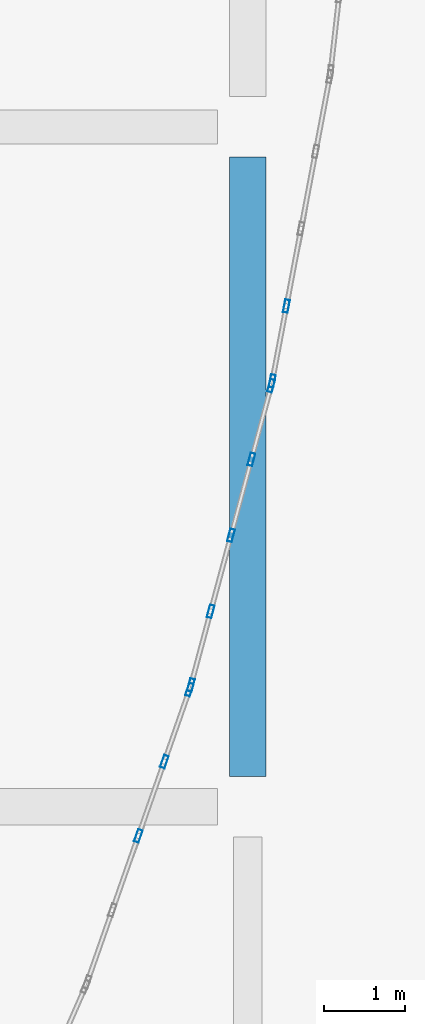
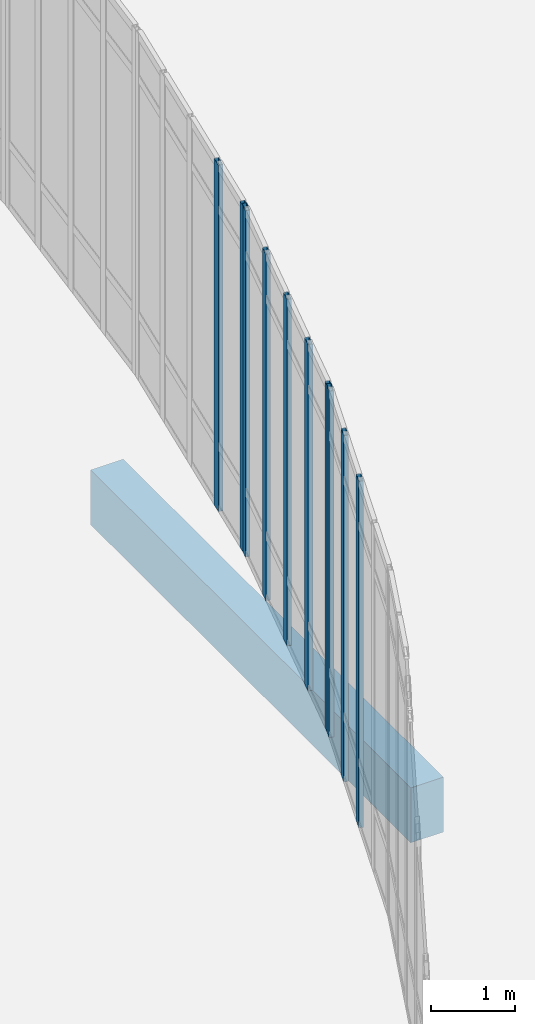
# One storey, part 47 of 110: 10 members, 1 beam, 3 elements without a shape of their own.
"""IFC4 building model written with IfcOpenShell, lengths in metres."""

from ifc_helpers import new_model, si_unit, direction, frame, origin, origin_2d, place, context, subcontext, project, spatial, rectangle, hollow_rectangle, extrude, material, material_profile, profile_set, type_object, element, aggregate, save


model = new_model("IFC4")

# Units and contexts
model_context = context("Model", 3, precision=1e-05, world=origin(), true_north=direction((0.0, 1.0)))
body_context = subcontext(model_context, "Body", "Model", "MODEL_VIEW")
ifc_project = project(units=[si_unit("LENGTHUNIT", "METRE"), si_unit("AREAUNIT", "SQUARE_METRE"), si_unit("VOLUMEUNIT", "CUBIC_METRE"), si_unit("PLANEANGLEUNIT", "RADIAN"), si_unit("MASSUNIT", "GRAM", prefix="KILO")], contexts=[model_context])

# Site, building, storey
site_placement = place(None, origin())
site = spatial("IfcSite", under=ifc_project, at=site_placement, CompositionType="ELEMENT")
building_placement = place(site_placement, origin())
building = spatial("IfcBuilding", under=site, at=building_placement, Name="Kalluvel Institute of Natural Sciences", CompositionType="ELEMENT")
storey_placement = place(building_placement, origin())
storey = spatial("IfcBuildingStorey", under=building, at=storey_placement, Name="L00", CompositionType="ELEMENT", Elevation=0.0)

# Beam
ifc_material_1 = material(Name="Concrete M40", Category="concrete")
ifc_material_profile_1 = material_profile(ifc_material_1, rectangle(XDim=0.449951171875, YDim=0.800048828125, at=origin_2d()), Name="RCB 450x800")
ifc_profile_set_1 = profile_set([ifc_material_profile_1], Name="Concrete M40")
beam_type = type_object("IfcBeamType", Name="BM-RC450x800", PredefinedType="BEAM", material=ifc_profile_set_1)
beam_placement = place(storey_placement, frame((86.0, 86.375, -0.719970703125), z_axis=(0.0, 1.0, 0.0), x_axis=(-1.0, 0.0, 0.0)))
element("IfcBeam", 1, at=beam_placement, inside=storey, type_object=beam_type, Name="L00 girder GIR-L00-NS-X860-Y860", PredefinedType="BEAM", context=body_context, shape_type="SweptSolid", body=[
    extrude(rectangle(XDim=0.449951171875, YDim=0.800048828125, at=origin_2d()), origin(), (0.0, 0.0, 1.0), 7.64990234375),
])

# Curtain wall, members
ifc_material_2 = material(Name="Aluminium AW-6063 T6", Category="aluminium")
curtain_wall_type = type_object("IfcCurtainWallType", Name="CW-ATR-L00", PredefinedType="USERDEFINED", material=ifc_material_2)
curtain_wall_1_placement = place(storey_placement, origin())
curtain_wall_1 = element("IfcCurtainWall", 2, at=curtain_wall_1_placement, inside=storey, type_object=curtain_wall_type, Name="L00 Gothic lancet curtain wall CWA-L00-X840-Y838", ObjectType="UNITISED LANCET FACADE", PredefinedType="USERDEFINED")
ifc_material_profile_2 = material_profile(ifc_material_2, hollow_rectangle(XDim=0.06005859375, YDim=0.159912109375, WallThickness=0.00390625, at=origin_2d()), Name="CWM 60x160")
ifc_profile_set_2 = profile_set([ifc_material_profile_2], Name="Aluminium AW-6063 T6")
member_type = type_object("IfcMemberType", Name="CWM-60x160", PredefinedType="MULLION", material=ifc_profile_set_2)
member_1_placement = place(storey_placement, frame((84.647705078125, 85.637451171875, 0.0), z_axis=(0.0, 0.0, 1.0), x_axis=(-0.943877598761, 0.330295441321, 0.0)))
member_1 = element("IfcMember", 3, at=member_1_placement, type_object=member_type, Name="CW-06 mullion 3", PredefinedType="MULLION", context=body_context, shape_type="SweptSolid", body=[
    extrude(hollow_rectangle(XDim=0.06005859375, YDim=0.159912109375, WallThickness=0.00390625, at=origin_2d()), origin(), (0.0, 0.0, 1.0), 5.050048828125),
])
member_2_placement = place(storey_placement, frame((84.96875, 86.55517578125, 0.0), z_axis=(0.0, 0.0, 1.0), x_axis=(-0.943877598761, 0.330295441321, 0.0)))
member_2 = element("IfcMember", 4, at=member_2_placement, type_object=member_type, Name="CW-06 mullion 4", PredefinedType="MULLION", context=body_context, shape_type="SweptSolid", body=[
    extrude(hollow_rectangle(XDim=0.06005859375, YDim=0.159912109375, WallThickness=0.00390625, at=origin_2d()), origin(), (0.0, 0.0, 1.0), 5.050048828125),
])
member_3_placement = place(storey_placement, frame((85.27978515625, 87.4443359375, 0.0), z_axis=(0.0, 0.0, 1.0), x_axis=(-0.943877598761, 0.330295441321, 0.0)))
member_3 = element("IfcMember", 5, at=member_3_placement, type_object=member_type, Name="CW-06 mullion 5", PredefinedType="MULLION", context=body_context, shape_type="SweptSolid", body=[
    extrude(hollow_rectangle(XDim=0.06005859375, YDim=0.159912109375, WallThickness=0.00390625, at=origin_2d()), origin(), (0.0, 0.0, 1.0), 5.050048828125),
])
aggregate(curtain_wall_1, [member_1, member_2, member_3])

curtain_wall_2_placement = place(storey_placement, origin())
curtain_wall_2 = element("IfcCurtainWall", 6, at=curtain_wall_2_placement, inside=storey, type_object=curtain_wall_type, Name="L00 Gothic lancet curtain wall CWA-L00-X853-Y875", ObjectType="UNITISED LANCET FACADE", PredefinedType="USERDEFINED")
member_4_placement = place(storey_placement, frame((85.297607421875, 87.501708984375, 0.0), z_axis=(0.0, 0.0, 1.0), x_axis=(-0.965923946245, 0.25882606142, 0.0)))
member_4 = element("IfcMember", 7, at=member_4_placement, type_object=member_type, Name="CW-06 mullion 1", PredefinedType="MULLION", context=body_context, shape_type="SweptSolid", body=[
    extrude(hollow_rectangle(XDim=0.06005859375, YDim=0.159912109375, WallThickness=0.00390625, at=origin_2d()), origin(), (0.0, 0.0, 1.0), 5.050048828125),
])
member_5_placement = place(storey_placement, frame((85.54150390625, 88.411865234375, 0.0), z_axis=(0.0, 0.0, 1.0), x_axis=(-0.965923946245, 0.25882606142, 0.0)))
member_5 = element("IfcMember", 8, at=member_5_placement, type_object=member_type, Name="CW-06 mullion 2", PredefinedType="MULLION", context=body_context, shape_type="SweptSolid", body=[
    extrude(hollow_rectangle(XDim=0.06005859375, YDim=0.159912109375, WallThickness=0.00390625, at=origin_2d()), origin(), (0.0, 0.0, 1.0), 5.050048828125),
])
member_6_placement = place(storey_placement, frame((85.79296875, 89.350830078125, 0.0), z_axis=(0.0, 0.0, 1.0), x_axis=(-0.965923946245, 0.25882606142, 0.0)))
member_6 = element("IfcMember", 9, at=member_6_placement, type_object=member_type, Name="CW-06 mullion 3", PredefinedType="MULLION", context=body_context, shape_type="SweptSolid", body=[
    extrude(hollow_rectangle(XDim=0.06005859375, YDim=0.159912109375, WallThickness=0.00390625, at=origin_2d()), origin(), (0.0, 0.0, 1.0), 5.050048828125),
])
member_7_placement = place(storey_placement, frame((86.044677734375, 90.289794921875, 0.0), z_axis=(0.0, 0.0, 1.0), x_axis=(-0.965923946245, 0.25882606142, 0.0)))
member_7 = element("IfcMember", 10, at=member_7_placement, type_object=member_type, Name="CW-06 mullion 4", PredefinedType="MULLION", context=body_context, shape_type="SweptSolid", body=[
    extrude(hollow_rectangle(XDim=0.06005859375, YDim=0.159912109375, WallThickness=0.00390625, at=origin_2d()), origin(), (0.0, 0.0, 1.0), 5.050048828125),
])
member_8_placement = place(storey_placement, frame((86.28857421875, 91.199951171875, 0.0), z_axis=(0.0, 0.0, 1.0), x_axis=(-0.965923946245, 0.25882606142, 0.0)))
member_8 = element("IfcMember", 11, at=member_8_placement, type_object=member_type, Name="CW-06 mullion 5", PredefinedType="MULLION", context=body_context, shape_type="SweptSolid", body=[
    extrude(hollow_rectangle(XDim=0.06005859375, YDim=0.159912109375, WallThickness=0.00390625, at=origin_2d()), origin(), (0.0, 0.0, 1.0), 5.050048828125),
])
aggregate(curtain_wall_2, [member_4, member_5, member_6, member_7, member_8])

curtain_wall_3_placement = place(storey_placement, origin())
curtain_wall_3 = element("IfcCurtainWall", 12, at=curtain_wall_3_placement, inside=storey, type_object=curtain_wall_type, Name="L00 Gothic lancet curtain wall CWA-L00-X863-Y912", ObjectType="UNITISED LANCET FACADE", PredefinedType="USERDEFINED")
member_9_placement = place(storey_placement, frame((86.3017578125, 91.25830078125, 0.0), z_axis=(0.0, 0.0, 1.0), x_axis=(-0.982568976212, 0.185898378113, 0.0)))
member_9 = element("IfcMember", 13, at=member_9_placement, type_object=member_type, Name="CW-06 mullion 1", PredefinedType="MULLION", context=body_context, shape_type="SweptSolid", body=[
    extrude(hollow_rectangle(XDim=0.06005859375, YDim=0.159912109375, WallThickness=0.00390625, at=origin_2d()), origin(), (0.0, 0.0, 1.0), 5.050048828125),
])
member_10_placement = place(storey_placement, frame((86.47705078125, 92.18408203125, 0.0), z_axis=(0.0, 0.0, 1.0), x_axis=(-0.982568976212, 0.185898378113, 0.0)))
member_10 = element("IfcMember", 14, at=member_10_placement, type_object=member_type, Name="CW-06 mullion 2", PredefinedType="MULLION", context=body_context, shape_type="SweptSolid", body=[
    extrude(hollow_rectangle(XDim=0.06005859375, YDim=0.159912109375, WallThickness=0.00390625, at=origin_2d()), origin(), (0.0, 0.0, 1.0), 5.050048828125),
])
aggregate(curtain_wall_3, [member_9, member_10])

save(model, "model.ifc")
